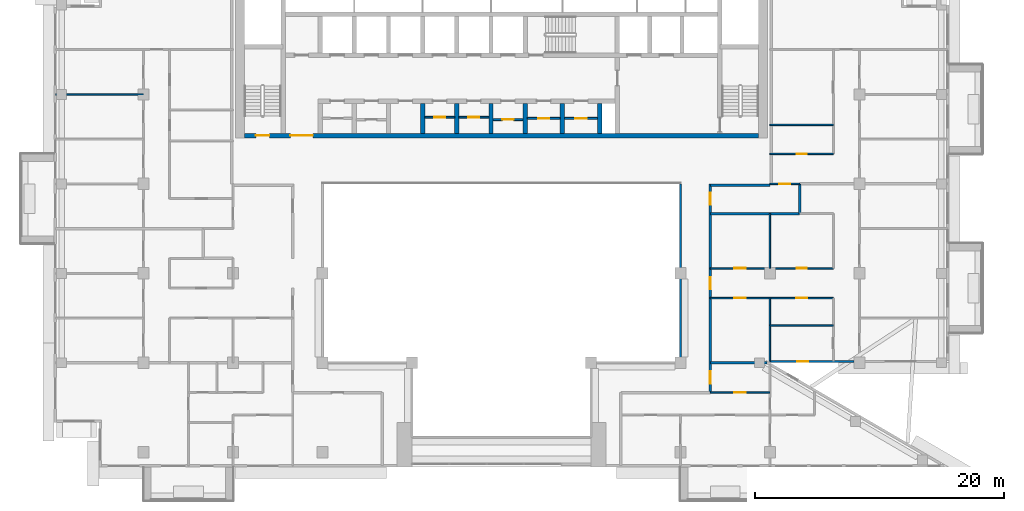
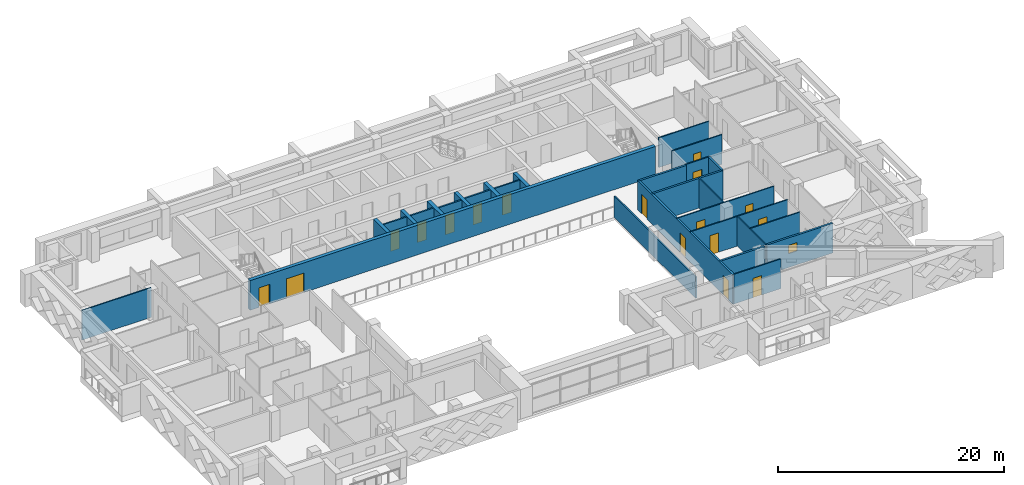
# One storey, part 9 of 20: 29 walls, 17 doors, 1 window, 18 openings.
"""IFC4 building model written with IfcOpenShell, lengths in metres."""

import ifcopenshell
import ifcopenshell.guid

model = None  # the IFC model being written
_history = None  # IfcOwnerHistory: only IFC2X3 demands one
_inside = {}  # id of a spatial element -> (the spatial element, [elements in it])
_under = {}  # id of a project, library or spatial element -> (it, [spatial elements below it])
_declared = {}  # id of a project -> (the project, [libraries it declares])
_typed = {}  # id of a type object -> (the type object, [elements of that type])
_made_of = {}  # id of a material, layer set ... -> (it, [elements and type objects made of it])


def new_model(schema):
    """Start an empty IFC model of exactly this schema.

    Asked for "IFC4X3", IfcOpenShell would pick the latest addendum, in which some entities
    have other attributes; the version numbers below select the first issue.
    IFC2X3 requires an IfcOwnerHistory on every rooted entity: one is made here for all.
    """
    global model, _history
    if schema == "IFC4X3":
        model = ifcopenshell.file(schema_version=(4, 3, 0, 0))
    else:
        model = ifcopenshell.file(schema=schema)
    _inside.clear()
    _under.clear()
    _declared.clear()
    _typed.clear()
    _made_of.clear()
    _history = None
    if model.schema == "IFC2X3":
        org = make("IfcOrganization", Name="unknown")
        user = make(
            "IfcPersonAndOrganization",
            ThePerson=make("IfcPerson", FamilyName="unknown"),
            TheOrganization=org,
        )
        app = make(
            "IfcApplication",
            ApplicationDeveloper=org,
            Version="unknown",
            ApplicationFullName="unknown",
            ApplicationIdentifier="unknown",
        )
        _history = make(
            "IfcOwnerHistory",
            OwningUser=user,
            OwningApplication=app,
            ChangeAction="ADDED",
            CreationDate=0,
        )
    return model


def make(cls, **values):
    """One entity of the class cls with the attributes given. An attribute that is None is left unset."""
    return model.create_entity(
        cls, **{name: value for name, value in values.items() if value is not None}
    )


def rooted(cls, **values):
    """An entity with a GlobalId (a new one), such as an element, a storey or a relation."""
    return make(cls, GlobalId=ifcopenshell.guid.new(), OwnerHistory=_history, **values)


def si_unit(unit_type, name, prefix=None):
    """IfcSIUnit, for example si_unit("LENGTHUNIT", "METRE", prefix="MILLI")."""
    return make("IfcSIUnit", UnitType=unit_type, Prefix=prefix, Name=name)


def assignment(units):
    """IfcUnitAssignment: the units of a project."""
    return None if units is None else make("IfcUnitAssignment", Units=units)


def point(xyz):
    """IfcCartesianPoint."""
    return None if xyz is None else make("IfcCartesianPoint", Coordinates=xyz)


def direction(xyz):
    """IfcDirection."""
    return None if xyz is None else make("IfcDirection", DirectionRatios=xyz)


def frame(location, z_axis=None, x_axis=None):
    """IfcAxis2Placement3D, a coordinate frame: its origin and axes. An axis left out is left unset."""
    return make(
        "IfcAxis2Placement3D",
        Location=point(location),
        Axis=direction(z_axis),
        RefDirection=direction(x_axis),
    )


def frame_2d(location, x_axis=None):
    """IfcAxis2Placement2D, a coordinate frame in the plane: its origin and x axis."""
    return make(
        "IfcAxis2Placement2D", Location=point(location), RefDirection=direction(x_axis)
    )


def origin():
    """The frame at (0, 0, 0) with its axes left unset."""
    return frame((0.0, 0.0, 0.0))


def place(relative_to, where):
    """IfcLocalPlacement: puts the frame where relative to a parent placement (None: the world)."""
    return make(
        "IfcLocalPlacement", PlacementRelTo=relative_to, RelativePlacement=where
    )


def context(
    kind, dimensions, precision=None, world=None, true_north=None, identifier=None
):
    """IfcGeometricRepresentationContext, for example the 3D "Model" context."""
    return make(
        "IfcGeometricRepresentationContext",
        ContextIdentifier=identifier,
        ContextType=kind,
        CoordinateSpaceDimension=dimensions,
        Precision=precision,
        WorldCoordinateSystem=world,
        TrueNorth=true_north,
    )


def subcontext(parent, identifier, kind, view, scale=None):
    """IfcGeometricRepresentationSubContext, for example "Body" below "Model"."""
    return make(
        "IfcGeometricRepresentationSubContext",
        ContextIdentifier=identifier,
        ContextType=kind,
        ParentContext=parent,
        TargetScale=scale,
        TargetView=view,
    )


def project(units=None, contexts=None):
    """IfcProject with its units and contexts."""
    return rooted(
        "IfcProject",
        Name="project",
        RepresentationContexts=contexts,
        UnitsInContext=assignment(units),
    )


def spatial(cls, under=None, at=None, **own):
    """A site, building, storey or space (cls), placed at a placement, below another one or the project."""
    s = rooted(cls, ObjectPlacement=at, **own)
    if under is not None:
        _under.setdefault(under.id(), (under, []))[1].append(s)
    return s


def profile(cls, at=None, kind="AREA", **sizes):
    """A parametric profile (cls). Its sizes go by their IFC names, for example OverallWidth=200.0."""
    return make(cls, ProfileType=kind, Position=at, **sizes)


def rectangle(**sizes):
    """IfcRectangleProfileDef."""
    return profile("IfcRectangleProfileDef", **sizes)


def extrude(swept, where, along, depth):
    """IfcExtrudedAreaSolid: the profile swept, set in the frame where, extruded along a direction by depth."""
    return make(
        "IfcExtrudedAreaSolid",
        SweptArea=swept,
        Position=where,
        ExtrudedDirection=direction(along),
        Depth=depth,
    )


def shape(context_of_items, identifier, shape_type, items):
    """IfcShapeRepresentation: the items that make up one representation, for example the "Body"."""
    return make(
        "IfcShapeRepresentation",
        ContextOfItems=context_of_items,
        RepresentationIdentifier=identifier,
        RepresentationType=shape_type,
        Items=items,
    )


def material(Name=None, Category=None):
    """IfcMaterial."""
    return make("IfcMaterial", Name=Name, Category=Category)


def layer(
    of_material, thickness, ventilated=None, Name=None, Category=None, Priority=None
):
    """IfcMaterialLayer: one layer of a wall or slab, of a material (None: an air gap)."""
    return make(
        "IfcMaterialLayer",
        Material=of_material,
        LayerThickness=thickness,
        IsVentilated=ventilated,
        Name=Name,
        Category=Category,
        Priority=Priority,
    )


def layer_set(layers, Name=None):
    """IfcMaterialLayerSet."""
    return make("IfcMaterialLayerSet", MaterialLayers=layers, LayerSetName=Name)


def made_of(thing, what):
    """Note that an element or type object is made of a material, layer set ...; save() writes the relation."""
    if what is not None:
        _made_of.setdefault(what.id(), (what, []))[1].append(thing)
    return thing


def type_object(cls, material=None, **own):
    """A type object (cls), such as IfcWallType, which elements share."""
    return made_of(rooted(cls, **own), material)


def element(
    cls,
    number,
    at=None,
    inside=None,
    cuts=None,
    type_object=None,
    material=None,
    context=None,
    identifier="Body",
    shape_type=None,
    held_by="IfcProductDefinitionShape",
    body=None,
    shapes=None,
    **own,
):
    """One element of the class cls, such as IfcWall. Its Tag is "e" and its number.

    at: its placement. inside: the storey or other place that contains it. cuts: it is an
    opening in that element (IfcRelVoidsElement). A single representation is given by context,
    identifier, shape_type and body (its items); several are given by shapes. held_by: the class
    of the entity that holds the representations. save() writes the other relations.
    """
    e = rooted(cls, Tag="e%d" % number, ObjectPlacement=at, **own)
    if body is not None:
        shapes = [shape(context, identifier, shape_type, body)]
    if shapes is not None:
        e.Representation = make(held_by, Representations=shapes)
    if inside is not None:
        _inside.setdefault(inside.id(), (inside, []))[1].append(e)
    if cuts is not None:
        rooted(
            "IfcRelVoidsElement", RelatingBuildingElement=cuts, RelatedOpeningElement=e
        )
    if type_object is not None:
        _typed.setdefault(type_object.id(), (type_object, []))[1].append(e)
    return made_of(e, material)


def fill(opening, filler):
    """IfcRelFillsElement: the door or window that sits in an opening."""
    return rooted(
        "IfcRelFillsElement",
        RelatingOpeningElement=opening,
        RelatedBuildingElement=filler,
    )


def aggregate(whole, parts):
    """IfcRelAggregates: a whole, such as a stair, and the parts it consists of."""
    return rooted("IfcRelAggregates", RelatingObject=whole, RelatedObjects=parts)


def save(model, path):
    """Write the relations noted so far, then the file.

    IfcRelAggregates (storeys below a building ...), IfcRelContainedInSpatialStructure (elements
    in a storey), IfcRelDefinesByType, IfcRelAssociatesMaterial and IfcRelDeclares: one each for
    every whole, place, type object, material and project.
    """
    for whole, parts in _under.values():
        aggregate(whole, parts)
    for where, things in _inside.values():
        rooted(
            "IfcRelContainedInSpatialStructure",
            RelatedElements=things,
            RelatingStructure=where,
        )
    for kind, things in _typed.values():
        rooted("IfcRelDefinesByType", RelatedObjects=things, RelatingType=kind)
    for what, things in _made_of.values():
        rooted("IfcRelAssociatesMaterial", RelatedObjects=things, RelatingMaterial=what)
    for by, libraries in _declared.values():
        rooted("IfcRelDeclares", RelatingContext=by, RelatedDefinitions=libraries)
    model.write(path)


model = new_model("IFC4")

# Units and contexts
model_context = context("Model", 3, precision=1e-05, world=origin(), true_north=direction((0.0, 1.0)))
body_context = subcontext(model_context, "Body", "Model", "MODEL_VIEW")
ifc_project = project(units=[si_unit("LENGTHUNIT", "METRE"), si_unit("AREAUNIT", "SQUARE_METRE"), si_unit("VOLUMEUNIT", "CUBIC_METRE"), si_unit("PLANEANGLEUNIT", "RADIAN"), si_unit("MASSUNIT", "GRAM", prefix="KILO")], contexts=[model_context])

# Site, building, storey
site_placement = place(None, origin())
site = spatial("IfcSite", under=ifc_project, at=site_placement, CompositionType="ELEMENT")
building_placement = place(site_placement, origin())
building = spatial("IfcBuilding", under=site, at=building_placement, Name="Saffron Iwan Residences", CompositionType="ELEMENT")
storey_placement = place(building_placement, frame((0.0, 0.0, 188.5)))
storey = spatial("IfcBuildingStorey", under=building, at=storey_placement, Name="L50", CompositionType="ELEMENT", Elevation=188.5)

# Wall
ifc_material_1 = material(Name="Fire-rated glazing", Category="glass")
ifc_layer_1 = layer(ifc_material_1, 0.14990234375)
ifc_layer_set_1 = layer_set([ifc_layer_1], Name="Fire-rated glazing")
wall_type_1 = type_object("IfcWallType", Name="Atrium glazed screen 150", PredefinedType="SOLIDWALL", material=ifc_layer_set_1)
wall_1_placement = place(storey_placement, frame((64.800048828125, 48.0, 0.0), z_axis=(0.0, 0.0, 1.0), x_axis=(0.0, 1.0, 0.0)))
element("IfcWall", 1, at=wall_1_placement, inside=storey, type_object=wall_type_1, Name="W-L50-SCREEN-v64.8-48", PredefinedType="SOLIDWALL", context=body_context, shape_type="SweptSolid", body=[
    extrude(rectangle(XDim=14.39990234375, YDim=0.14990234375, at=frame_2d((7.199951171875, 0.0))), origin(), (0.0, 0.0, 1.0), 2.300048828125),
])

# Wall, opening, door
ifc_material_2 = material(Name="Fire-rated plasterboard partition")
ifc_layer_2 = layer(ifc_material_2, 0.14990234375)
ifc_layer_set_2 = layer_set([ifc_layer_2], Name="Fire-rated plasterboard partition")
wall_type_2 = type_object("IfcWallType", Name="Core partition 150", PredefinedType="PARTITIONING", material=ifc_layer_set_2)
wall_2_placement = place(storey_placement, frame((44.22509765625, 67.759521484375, 0.0), z_axis=(0.0, 0.0, 1.0), x_axis=(1.0, 0.0, 0.0)))
wall_2 = element("IfcWall", 2, at=wall_2_placement, inside=storey, type_object=wall_type_2, Name="Core partition P03", PredefinedType="PARTITIONING", context=body_context, shape_type="SweptSolid", body=[
    extrude(rectangle(XDim=2.39990234375, YDim=0.14990234375, at=frame_2d((1.199951171875, 0.0))), origin(), (0.0, 0.0, 1.0), 3.199951171875),
])
opening_1_placement = place(wall_2_placement, frame((0.75, 0.0, 0.0)))
opening_1 = element("IfcOpeningElement", 3, at=opening_1_placement, cuts=wall_2, Name="Opening SB", PredefinedType="OPENING", context=body_context, shape_type="SweptSolid", body=[
    extrude(rectangle(XDim=0.89990234375, YDim=2.10009765625, at=frame_2d((0.449951171875, 1.050048828125))), frame((0.0, 0.0849609375, 0.0), z_axis=(0.0, -1.0, 0.0), x_axis=(1.0, 0.0, 0.0)), (0.0, 0.0, 1.0), 0.169921875),
])
ifc_material_3 = material(Name="Steel fire door", Category="steel")
door_type_1 = type_object("IfcDoorType", Name="Store door 900", OperationType="NOTDEFINED", PredefinedType="DOOR", material=ifc_material_3)
door_1_placement = place(opening_1_placement, origin())
door_1 = element("IfcDoor", 4, at=door_1_placement, inside=storey, type_object=door_type_1, Name="Door Records store", OperationType="SINGLE_SWING_RIGHT", OverallHeight=2.10009765625, OverallWidth=0.89990234375, PredefinedType="DOOR", context=body_context, shape_type="SweptSolid", body=[
    extrude(rectangle(XDim=0.89990234375, YDim=2.10009765625, at=frame_2d((0.449951171875, 1.050048828125))), frame((0.0, 0.02490234375, 0.0), z_axis=(0.0, -1.0, 0.0), x_axis=(1.0, 0.0, 0.0)), (0.0, 0.0, 1.0), 0.050048828125),
])
fill(opening_1, door_1)

wall_3_placement = place(storey_placement, frame((46.97509765625, 67.759521484375, 0.0), z_axis=(0.0, 0.0, 1.0), x_axis=(1.0, 0.0, 0.0)))
wall_3 = element("IfcWall", 5, at=wall_3_placement, inside=storey, type_object=wall_type_2, Name="Core partition P04", PredefinedType="PARTITIONING", context=body_context, shape_type="SweptSolid", body=[
    extrude(rectangle(XDim=2.39990234375, YDim=0.14990234375, at=frame_2d((1.199951171875, 0.0))), origin(), (0.0, 0.0, 1.0), 3.199951171875),
])
opening_2_placement = place(wall_3_placement, frame((0.75, 0.0, 0.0)))
opening_2 = element("IfcOpeningElement", 6, at=opening_2_placement, cuts=wall_3, Name="Opening SB", PredefinedType="OPENING", context=body_context, shape_type="SweptSolid", body=[
    extrude(rectangle(XDim=0.89990234375, YDim=2.10009765625, at=frame_2d((0.449951171875, 1.050048828125))), frame((0.0, 0.0849609375, 0.0), z_axis=(0.0, -1.0, 0.0), x_axis=(1.0, 0.0, 0.0)), (0.0, 0.0, 1.0), 0.169921875),
])
door_2_placement = place(opening_2_placement, origin())
door_2 = element("IfcDoor", 7, at=door_2_placement, inside=storey, type_object=door_type_1, Name="Door Stationery store", OperationType="SINGLE_SWING_LEFT", OverallHeight=2.10009765625, OverallWidth=0.89990234375, PredefinedType="DOOR", context=body_context, shape_type="SweptSolid", body=[
    extrude(rectangle(XDim=0.89990234375, YDim=2.10009765625, at=frame_2d((0.449951171875, 1.050048828125))), frame((0.0, 0.02490234375, 0.0), z_axis=(0.0, -1.0, 0.0), x_axis=(1.0, 0.0, 0.0)), (0.0, 0.0, 1.0), 0.050048828125),
])
fill(opening_2, door_2)

wall_4_placement = place(storey_placement, frame((49.72509765625, 67.5654296875, 0.0), z_axis=(0.0, 0.0, 1.0), x_axis=(1.0, 0.0, 0.0)))
wall_4 = element("IfcWall", 8, at=wall_4_placement, inside=storey, type_object=wall_type_2, Name="Core partition P05", PredefinedType="PARTITIONING", context=body_context, shape_type="SweptSolid", body=[
    extrude(rectangle(XDim=2.39990234375, YDim=0.14990234375, at=frame_2d((1.199951171875, 0.0))), origin(), (0.0, 0.0, 1.0), 3.199951171875),
])
opening_3_placement = place(wall_4_placement, frame((0.75, 0.0, 0.0)))
opening_3 = element("IfcOpeningElement", 9, at=opening_3_placement, cuts=wall_4, Name="Opening SB", PredefinedType="OPENING", context=body_context, shape_type="SweptSolid", body=[
    extrude(rectangle(XDim=0.89990234375, YDim=2.10009765625, at=frame_2d((0.449951171875, 1.050048828125))), frame((0.0, 0.0849609375, 0.0), z_axis=(0.0, -1.0, 0.0), x_axis=(1.0, 0.0, 0.0)), (0.0, 0.0, 1.0), 0.169921875),
])
door_3_placement = place(opening_3_placement, origin())
door_3 = element("IfcDoor", 10, at=door_3_placement, inside=storey, type_object=door_type_1, Name="Door Tool store", OperationType="SINGLE_SWING_LEFT", OverallHeight=2.10009765625, OverallWidth=0.89990234375, PredefinedType="DOOR", context=body_context, shape_type="SweptSolid", body=[
    extrude(rectangle(XDim=0.89990234375, YDim=2.10009765625, at=frame_2d((0.449951171875, 1.050048828125))), frame((0.0, 0.02490234375, 0.0), z_axis=(0.0, -1.0, 0.0), x_axis=(1.0, 0.0, 0.0)), (0.0, 0.0, 1.0), 0.050048828125),
])
fill(opening_3, door_3)

wall_5_placement = place(storey_placement, frame((52.47509765625, 67.66259765625, 0.0), z_axis=(0.0, 0.0, 1.0), x_axis=(1.0, 0.0, 0.0)))
wall_5 = element("IfcWall", 11, at=wall_5_placement, inside=storey, type_object=wall_type_2, Name="Core partition P06", PredefinedType="PARTITIONING", context=body_context, shape_type="SweptSolid", body=[
    extrude(rectangle(XDim=2.64990234375, YDim=0.14990234375, at=frame_2d((1.324951171875, 0.0))), origin(), (0.0, 0.0, 1.0), 3.199951171875),
])
opening_4_placement = place(wall_5_placement, frame((0.875, 0.0, 0.0)))
opening_4 = element("IfcOpeningElement", 12, at=opening_4_placement, cuts=wall_5, Name="Opening SB", PredefinedType="OPENING", context=body_context, shape_type="SweptSolid", body=[
    extrude(rectangle(XDim=0.89990234375, YDim=2.10009765625, at=frame_2d((0.449951171875, 1.050048828125))), frame((0.0, 0.0849609375, 0.0), z_axis=(0.0, -1.0, 0.0), x_axis=(1.0, 0.0, 0.0)), (0.0, 0.0, 1.0), 0.169921875),
])
door_4_placement = place(opening_4_placement, origin())
door_4 = element("IfcDoor", 13, at=door_4_placement, inside=storey, type_object=door_type_1, Name="Door Spares store", OperationType="SINGLE_SWING_LEFT", OverallHeight=2.10009765625, OverallWidth=0.89990234375, PredefinedType="DOOR", context=body_context, shape_type="SweptSolid", body=[
    extrude(rectangle(XDim=0.89990234375, YDim=2.10009765625, at=frame_2d((0.449951171875, 1.050048828125))), frame((0.0, 0.02490234375, 0.0), z_axis=(0.0, -1.0, 0.0), x_axis=(1.0, 0.0, 0.0)), (0.0, 0.0, 1.0), 0.050048828125),
])
fill(opening_4, door_4)

wall_6_placement = place(storey_placement, frame((55.47509765625, 67.66259765625, 0.0), z_axis=(0.0, 0.0, 1.0), x_axis=(1.0, 0.0, 0.0)))
wall_6 = element("IfcWall", 14, at=wall_6_placement, inside=storey, type_object=wall_type_2, Name="Core partition P07", PredefinedType="PARTITIONING", context=body_context, shape_type="SweptSolid", body=[
    extrude(rectangle(XDim=2.64990234375, YDim=0.14990234375, at=frame_2d((1.324951171875, 0.0))), origin(), (0.0, 0.0, 1.0), 3.199951171875),
])
opening_5_placement = place(wall_6_placement, frame((0.875, 0.0, 0.0)))
opening_5 = element("IfcOpeningElement", 15, at=opening_5_placement, cuts=wall_6, Name="Opening SB", PredefinedType="OPENING", context=body_context, shape_type="SweptSolid", body=[
    extrude(rectangle(XDim=0.89990234375, YDim=2.10009765625, at=frame_2d((0.449951171875, 1.050048828125))), frame((0.0, 0.0849609375, 0.0), z_axis=(0.0, -1.0, 0.0), x_axis=(1.0, 0.0, 0.0)), (0.0, 0.0, 1.0), 0.169921875),
])
door_5_placement = place(opening_5_placement, origin())
door_5 = element("IfcDoor", 16, at=door_5_placement, inside=storey, type_object=door_type_1, Name="Door Battery room", OperationType="SINGLE_SWING_LEFT", OverallHeight=2.10009765625, OverallWidth=0.89990234375, PredefinedType="DOOR", context=body_context, shape_type="SweptSolid", body=[
    extrude(rectangle(XDim=0.89990234375, YDim=2.10009765625, at=frame_2d((0.449951171875, 1.050048828125))), frame((0.0, 0.02490234375, 0.0), z_axis=(0.0, -1.0, 0.0), x_axis=(1.0, 0.0, 0.0)), (0.0, 0.0, 1.0), 0.050048828125),
])
fill(opening_5, door_5)

# Wall, opening, window
ifc_material_4 = material(Name="Concrete C40/50", Category="concrete")
ifc_layer_3 = layer(ifc_material_4, 0.199951171875)
ifc_layer_set_3 = layer_set([ifc_layer_3], Name="Concrete C40/50")
wall_type_3 = type_object("IfcWallType", Name="EXTERNAL WALL 200", PredefinedType="SOLIDWALL", material=ifc_layer_set_3)
wall_7_placement = place(storey_placement, frame((71.989990234375, 48.10009765625, 0.0), z_axis=(0.0, 0.0, 1.0), x_axis=(1.0, 0.0, 0.0)))
wall_7 = element("IfcWall", 17, at=wall_7_placement, inside=storey, type_object=wall_type_3, Name="External wall L50 F1.0", PredefinedType="SOLIDWALL", context=body_context, shape_type="SweptSolid", body=[
    extrude(rectangle(XDim=6.760009765625, YDim=0.199951171875, at=frame_2d((3.3798828125, 0.0))), origin(), (0.0, 0.0, 1.0), 3.199951171875),
])
opening_6_placement = place(wall_7_placement, frame((2.204833984375, 0.0, 1.5)))
opening_6 = element("IfcOpeningElement", 18, at=opening_6_placement, cuts=wall_7, Name="Opening W6", PredefinedType="OPENING", context=body_context, shape_type="SweptSolid", body=[
    extrude(rectangle(XDim=0.89990234375, YDim=0.89990234375, at=frame_2d((0.449951171875, 0.449951171875))), frame((0.0, 0.10986328125, 0.0), z_axis=(0.0, -1.0, 0.0), x_axis=(1.0, 0.0, 0.0)), (0.0, 0.0, 1.0), 0.219970703125),
])
ifc_material_5 = material(Name="Clear glass, laminated double glazed", Category="glass")
window_type = type_object("IfcWindowType", Name="WINDOW 900 x 900 BATH", PartitioningType="SINGLE_PANEL", PredefinedType="WINDOW", material=ifc_material_5)
window_placement = place(opening_6_placement, origin())
window = element("IfcWindow", 19, at=window_placement, inside=storey, type_object=window_type, Name="Window L50 F1.0", OverallHeight=0.89990234375, OverallWidth=0.89990234375, PartitioningType="SINGLE_PANEL", PredefinedType="WINDOW", context=body_context, shape_type="SweptSolid", body=[
    extrude(rectangle(XDim=0.89990234375, YDim=0.89990234375, at=frame_2d((0.449951171875, 0.449951171875))), frame((0.0, 0.030029296875, 0.0), z_axis=(0.0, -1.0, 0.0), x_axis=(1.0, 0.0, 0.0)), (0.0, 0.0, 1.0), 0.06005859375),
])
fill(opening_6, window)

# Walls
ifc_material_6 = material(Name="Fire-rated gypsum board wall")
ifc_layer_4 = layer(ifc_material_6, 0.199951171875)
ifc_layer_set_4 = layer_set([ifc_layer_4], Name="Fire-rated gypsum board wall")
wall_type_4 = type_object("IfcWallType", Name="Flat demising wall 200", PredefinedType="SOLIDWALL", material=ifc_layer_set_4)
wall_8_placement = place(storey_placement, frame((67.199951171875, 48.0, 0.0), z_axis=(0.0, 0.0, 1.0), x_axis=(1.0, 0.0, 0.0)))
element("IfcWall", 20, at=wall_8_placement, inside=storey, type_object=wall_type_4, Name="W-L50-DEMISE-h48-67.2", PredefinedType="SOLIDWALL", context=body_context, shape_type="SweptSolid", body=[
    extrude(rectangle(XDim=4.552001953125, YDim=0.199951171875, at=frame_2d((2.27587890625, 0.0))), origin(), (0.0, 0.0, 1.0), 3.199951171875),
])
wall_9_placement = place(storey_placement, frame((67.199951171875, 60.0, 0.0), z_axis=(0.0, 0.0, 1.0), x_axis=(1.0, 0.0, 0.0)))
element("IfcWall", 21, at=wall_9_placement, inside=storey, type_object=wall_type_4, Name="W-L50-DEMISE-h60-67.2", PredefinedType="SOLIDWALL", context=body_context, shape_type="SweptSolid", body=[
    extrude(rectangle(XDim=7.199951171875, YDim=0.199951171875, at=frame_2d((3.60009765625, 0.0))), origin(), (0.0, 0.0, 1.0), 3.199951171875),
])
wall_10_placement = place(storey_placement, frame((74.39990234375, 60.0, 0.0), z_axis=(0.0, 0.0, 1.0), x_axis=(0.0, 1.0, 0.0)))
element("IfcWall", 22, at=wall_10_placement, inside=storey, type_object=wall_type_4, Name="W-L50-DEMISE-v74.4-60", PredefinedType="SOLIDWALL", context=body_context, shape_type="SweptSolid", body=[
    extrude(rectangle(XDim=2.39990234375, YDim=0.199951171875, at=frame_2d((1.199951171875, 0.0))), origin(), (0.0, 0.0, 1.0), 3.199951171875),
])

# Wall, opening, door
ifc_material_7 = material(Name="Gypsum board partition")
ifc_layer_5 = layer(ifc_material_7, 0.1201171875)
ifc_layer_set_5 = layer_set([ifc_layer_5], Name="Gypsum board partition")
wall_type_5 = type_object("IfcWallType", Name="Flat partition 120", PredefinedType="PARTITIONING", material=ifc_layer_set_5)
wall_11_placement = place(storey_placement, frame((67.199951171875, 45.60009765625, 0.0), z_axis=(0.0, 0.0, 1.0), x_axis=(1.0, 0.0, 0.0)))
wall_11 = element("IfcWall", 23, at=wall_11_placement, inside=storey, type_object=wall_type_5, Name="W-L50-PART-h45.6-67.2", PredefinedType="PARTITIONING", context=body_context, shape_type="SweptSolid", body=[
    extrude(rectangle(XDim=4.800048828125, YDim=0.1201171875, at=frame_2d((2.39990234375, 0.0))), origin(), (0.0, 0.0, 1.0), 3.199951171875),
])
opening_7_placement = place(wall_11_placement, frame((1.949951171875, 0.0, 0.0)))
opening_7 = element("IfcOpeningElement", 24, at=opening_7_placement, cuts=wall_11, Name="Opening FD2", PredefinedType="OPENING", context=body_context, shape_type="SweptSolid", body=[
    extrude(rectangle(XDim=0.89990234375, YDim=2.10009765625, at=frame_2d((0.449951171875, 1.050048828125))), frame((0.0, 0.070068359375, 0.0), z_axis=(0.0, -1.0, 0.0), x_axis=(1.0, 0.0, 0.0)), (0.0, 0.0, 1.0), 0.14013671875),
])
ifc_material_8 = material(Name="Timber door", Category="wood")
door_type_2 = type_object("IfcDoorType", Name="Flat door 900", OperationType="NOTDEFINED", PredefinedType="DOOR", material=ifc_material_8)
door_6_placement = place(opening_7_placement, origin())
door_6 = element("IfcDoor", 25, at=door_6_placement, inside=storey, type_object=door_type_2, Name="Door L50-043", OperationType="SINGLE_SWING_LEFT", OverallHeight=2.10009765625, OverallWidth=0.89990234375, PredefinedType="DOOR", context=body_context, shape_type="SweptSolid", body=[
    extrude(rectangle(XDim=0.89990234375, YDim=2.10009765625, at=frame_2d((0.449951171875, 1.050048828125))), frame((0.0, 0.02490234375, 0.0), z_axis=(0.0, -1.0, 0.0), x_axis=(1.0, 0.0, 0.0)), (0.0, 0.0, 1.0), 0.050048828125),
])
fill(opening_7, door_6)

# Wall
wall_12_placement = place(storey_placement, frame((72.0, 51.0, 0.0), z_axis=(0.0, 0.0, 1.0), x_axis=(1.0, 0.0, 0.0)))
element("IfcWall", 26, at=wall_12_placement, inside=storey, type_object=wall_type_5, Name="W-L50-PART-h51-72", PredefinedType="PARTITIONING", context=body_context, shape_type="SweptSolid", body=[
    extrude(rectangle(XDim=5.10009765625, YDim=0.1201171875, at=frame_2d((2.550048828125, 0.0))), origin(), (0.0, 0.0, 1.0), 3.199951171875),
])

# Wall, openings, doors
wall_13_placement = place(storey_placement, frame((67.199951171875, 53.199951171875, 0.0), z_axis=(0.0, 0.0, 1.0), x_axis=(1.0, 0.0, 0.0)))
wall_13 = element("IfcWall", 27, at=wall_13_placement, inside=storey, type_object=wall_type_5, Name="W-L50-PART-h53.2-67.2", PredefinedType="PARTITIONING", context=body_context, shape_type="SweptSolid", body=[
    extrude(rectangle(XDim=9.900146484375, YDim=0.1201171875, at=frame_2d((4.9501953125, 0.0))), origin(), (0.0, 0.0, 1.0), 3.199951171875),
])
opening_8_placement = place(wall_13_placement, frame((6.89990234375, 0.0, 0.0)))
opening_8 = element("IfcOpeningElement", 28, at=opening_8_placement, cuts=wall_13, Name="Opening FD2", PredefinedType="OPENING", context=body_context, shape_type="SweptSolid", body=[
    extrude(rectangle(XDim=0.89990234375, YDim=2.10009765625, at=frame_2d((0.449951171875, 1.050048828125))), frame((0.0, 0.070068359375, 0.0), z_axis=(0.0, -1.0, 0.0), x_axis=(1.0, 0.0, 0.0)), (0.0, 0.0, 1.0), 0.14013671875),
])
opening_9_placement = place(wall_13_placement, frame((1.949951171875, 0.0, 0.0)))
opening_9 = element("IfcOpeningElement", 29, at=opening_9_placement, cuts=wall_13, Name="Opening FD2", PredefinedType="OPENING", context=body_context, shape_type="SweptSolid", body=[
    extrude(rectangle(XDim=0.89990234375, YDim=2.10009765625, at=frame_2d((0.449951171875, 1.050048828125))), frame((0.0, 0.070068359375, 0.0), z_axis=(0.0, -1.0, 0.0), x_axis=(1.0, 0.0, 0.0)), (0.0, 0.0, 1.0), 0.14013671875),
])
door_7_placement = place(opening_8_placement, origin())
door_7 = element("IfcDoor", 30, at=door_7_placement, inside=storey, type_object=door_type_2, Name="Door L50-020", OperationType="SINGLE_SWING_RIGHT", OverallHeight=2.10009765625, OverallWidth=0.89990234375, PredefinedType="DOOR", context=body_context, shape_type="SweptSolid", body=[
    extrude(rectangle(XDim=0.89990234375, YDim=2.10009765625, at=frame_2d((0.449951171875, 1.050048828125))), frame((0.0, 0.02490234375, 0.0), z_axis=(0.0, -1.0, 0.0), x_axis=(1.0, 0.0, 0.0)), (0.0, 0.0, 1.0), 0.050048828125),
])
fill(opening_8, door_7)
door_8_placement = place(opening_9_placement, origin())
door_8 = element("IfcDoor", 31, at=door_8_placement, inside=storey, type_object=door_type_2, Name="Door L50-022", OperationType="SINGLE_SWING_LEFT", OverallHeight=2.10009765625, OverallWidth=0.89990234375, PredefinedType="DOOR", context=body_context, shape_type="SweptSolid", body=[
    extrude(rectangle(XDim=0.89990234375, YDim=2.10009765625, at=frame_2d((0.449951171875, 1.050048828125))), frame((0.0, 0.02490234375, 0.0), z_axis=(0.0, -1.0, 0.0), x_axis=(1.0, 0.0, 0.0)), (0.0, 0.0, 1.0), 0.050048828125),
])
fill(opening_9, door_8)

wall_14_placement = place(storey_placement, frame((67.199951171875, 55.60009765625, 0.0), z_axis=(0.0, 0.0, 1.0), x_axis=(1.0, 0.0, 0.0)))
wall_14 = element("IfcWall", 32, at=wall_14_placement, inside=storey, type_object=wall_type_5, Name="W-L50-PART-h55.6-67.2", PredefinedType="PARTITIONING", context=body_context, shape_type="SweptSolid", body=[
    extrude(rectangle(XDim=9.900146484375, YDim=0.1201171875, at=frame_2d((4.9501953125, 0.0))), origin(), (0.0, 0.0, 1.0), 3.199951171875),
])
opening_10_placement = place(wall_14_placement, frame((6.949951171875, 0.0, 0.0)))
opening_10 = element("IfcOpeningElement", 33, at=opening_10_placement, cuts=wall_14, Name="Opening FD3", PredefinedType="OPENING", context=body_context, shape_type="SweptSolid", body=[
    extrude(rectangle(XDim=0.800048828125, YDim=2.10009765625, at=frame_2d((0.39990234375, 1.050048828125))), frame((0.0, 0.070068359375, 0.0), z_axis=(0.0, -1.0, 0.0), x_axis=(1.0, 0.0, 0.0)), (0.0, 0.0, 1.0), 0.14013671875),
])
opening_11_placement = place(wall_14_placement, frame((1.949951171875, 0.0, 0.0)))
opening_11 = element("IfcOpeningElement", 34, at=opening_11_placement, cuts=wall_14, Name="Opening FD2", PredefinedType="OPENING", context=body_context, shape_type="SweptSolid", body=[
    extrude(rectangle(XDim=0.89990234375, YDim=2.10009765625, at=frame_2d((0.449951171875, 1.050048828125))), frame((0.0, 0.070068359375, 0.0), z_axis=(0.0, -1.0, 0.0), x_axis=(1.0, 0.0, 0.0)), (0.0, 0.0, 1.0), 0.14013671875),
])
door_type_3 = type_object("IfcDoorType", Name="Bathroom door 800", OperationType="NOTDEFINED", PredefinedType="DOOR", material=ifc_material_8)
door_9_placement = place(opening_10_placement, origin())
door_9 = element("IfcDoor", 35, at=door_9_placement, inside=storey, type_object=door_type_3, Name="Door L50-021", OperationType="SINGLE_SWING_LEFT", OverallHeight=2.10009765625, OverallWidth=0.800048828125, PredefinedType="DOOR", context=body_context, shape_type="SweptSolid", body=[
    extrude(rectangle(XDim=0.800048828125, YDim=2.10009765625, at=frame_2d((0.39990234375, 1.050048828125))), frame((0.0, 0.02490234375, 0.0), z_axis=(0.0, -1.0, 0.0), x_axis=(1.0, 0.0, 0.0)), (0.0, 0.0, 1.0), 0.050048828125),
])
fill(opening_10, door_9)
door_10_placement = place(opening_11_placement, origin())
door_10 = element("IfcDoor", 36, at=door_10_placement, inside=storey, type_object=door_type_2, Name="Door L50-023", OperationType="SINGLE_SWING_RIGHT", OverallHeight=2.10009765625, OverallWidth=0.89990234375, PredefinedType="DOOR", context=body_context, shape_type="SweptSolid", body=[
    extrude(rectangle(XDim=0.89990234375, YDim=2.10009765625, at=frame_2d((0.449951171875, 1.050048828125))), frame((0.0, 0.02490234375, 0.0), z_axis=(0.0, -1.0, 0.0), x_axis=(1.0, 0.0, 0.0)), (0.0, 0.0, 1.0), 0.050048828125),
])
fill(opening_11, door_10)

# Wall, opening, door
wall_15_placement = place(storey_placement, frame((72.0, 62.39990234375, 0.0), z_axis=(0.0, 0.0, 1.0), x_axis=(1.0, 0.0, 0.0)))
wall_15 = element("IfcWall", 37, at=wall_15_placement, inside=storey, type_object=wall_type_5, Name="W-L50-PART-h62.4-72", PredefinedType="PARTITIONING", context=body_context, shape_type="SweptSolid", body=[
    extrude(rectangle(XDim=2.39990234375, YDim=0.1201171875, at=frame_2d((1.199951171875, 0.0))), origin(), (0.0, 0.0, 1.0), 3.199951171875),
])
opening_12_placement = place(wall_15_placement, frame((0.75, 0.0, 0.0)))
opening_12 = element("IfcOpeningElement", 38, at=opening_12_placement, cuts=wall_15, Name="Opening FD2", PredefinedType="OPENING", context=body_context, shape_type="SweptSolid", body=[
    extrude(rectangle(XDim=0.89990234375, YDim=2.10009765625, at=frame_2d((0.449951171875, 1.050048828125))), frame((0.0, 0.070068359375, 0.0), z_axis=(0.0, -1.0, 0.0), x_axis=(1.0, 0.0, 0.0)), (0.0, 0.0, 1.0), 0.14013671875),
])
door_11_placement = place(opening_12_placement, origin())
door_11 = element("IfcDoor", 39, at=door_11_placement, inside=storey, type_object=door_type_2, Name="Door L50-034", OperationType="SINGLE_SWING_LEFT", OverallHeight=2.10009765625, OverallWidth=0.89990234375, PredefinedType="DOOR", context=body_context, shape_type="SweptSolid", body=[
    extrude(rectangle(XDim=0.89990234375, YDim=2.10009765625, at=frame_2d((0.449951171875, 1.050048828125))), frame((0.0, 0.02490234375, 0.0), z_axis=(0.0, -1.0, 0.0), x_axis=(1.0, 0.0, 0.0)), (0.0, 0.0, 1.0), 0.050048828125),
])
fill(opening_12, door_11)

wall_16_placement = place(storey_placement, frame((72.0, 64.800048828125, 0.0), z_axis=(0.0, 0.0, 1.0), x_axis=(1.0, 0.0, 0.0)))
wall_16 = element("IfcWall", 40, at=wall_16_placement, inside=storey, type_object=wall_type_5, Name="W-L50-PART-h64.8-72", PredefinedType="PARTITIONING", context=body_context, shape_type="SweptSolid", body=[
    extrude(rectangle(XDim=5.10009765625, YDim=0.1201171875, at=frame_2d((2.550048828125, 0.0))), origin(), (0.0, 0.0, 1.0), 3.199951171875),
])
opening_13_placement = place(wall_16_placement, frame((2.14990234375, 0.0, 0.0)))
opening_13 = element("IfcOpeningElement", 41, at=opening_13_placement, cuts=wall_16, Name="Opening FD3", PredefinedType="OPENING", context=body_context, shape_type="SweptSolid", body=[
    extrude(rectangle(XDim=0.800048828125, YDim=2.10009765625, at=frame_2d((0.39990234375, 1.050048828125))), frame((0.0, 0.070068359375, 0.0), z_axis=(0.0, -1.0, 0.0), x_axis=(1.0, 0.0, 0.0)), (0.0, 0.0, 1.0), 0.14013671875),
])
door_12_placement = place(opening_13_placement, origin())
door_12 = element("IfcDoor", 42, at=door_12_placement, inside=storey, type_object=door_type_3, Name="Door L50-040", OperationType="SINGLE_SWING_LEFT", OverallHeight=2.10009765625, OverallWidth=0.800048828125, PredefinedType="DOOR", context=body_context, shape_type="SweptSolid", body=[
    extrude(rectangle(XDim=0.800048828125, YDim=2.10009765625, at=frame_2d((0.39990234375, 1.050048828125))), frame((0.0, 0.02490234375, 0.0), z_axis=(0.0, -1.0, 0.0), x_axis=(1.0, 0.0, 0.0)), (0.0, 0.0, 1.0), 0.050048828125),
])
fill(opening_13, door_12)

# Walls
wall_17_placement = place(storey_placement, frame((72.0, 67.14990234375, 0.0), z_axis=(0.0, 0.0, 1.0), x_axis=(1.0, 0.0, 0.0)))
element("IfcWall", 43, at=wall_17_placement, inside=storey, type_object=wall_type_5, Name="W-L50-PART-h67.15-72", PredefinedType="PARTITIONING", context=body_context, shape_type="SweptSolid", body=[
    extrude(rectangle(XDim=5.10009765625, YDim=0.1201171875, at=frame_2d((2.550048828125, 0.0))), origin(), (0.0, 0.0, 1.0), 3.199951171875),
])
wall_18_placement = place(storey_placement, frame((14.52490234375, 69.60009765625, 0.0), z_axis=(0.0, 0.0, 1.0), x_axis=(1.0, 0.0, 0.0)))
element("IfcWall", 44, at=wall_18_placement, inside=storey, type_object=wall_type_5, Name="W-L50-PART-h69.6-14.525", PredefinedType="PARTITIONING", context=body_context, shape_type="SweptSolid", body=[
    extrude(rectangle(XDim=7.0751953125, YDim=0.1201171875, at=frame_2d((3.53759765625, 0.0))), origin(), (0.0, 0.0, 1.0), 3.199951171875),
])
wall_19_placement = place(storey_placement, frame((72.0, 48.125, 0.0), z_axis=(0.0, 0.0, 1.0), x_axis=(0.0, 1.0, 0.0)))
element("IfcWall", 45, at=wall_19_placement, inside=storey, type_object=wall_type_5, Name="W-L50-PART-v72-48.125", PredefinedType="PARTITIONING", context=body_context, shape_type="SweptSolid", body=[
    extrude(rectangle(XDim=5.074951171875, YDim=0.1201171875, at=frame_2d((2.53759765625, 0.0))), origin(), (0.0, 0.0, 1.0), 3.199951171875),
])
wall_20_placement = place(storey_placement, frame((72.0, 55.60009765625, 0.0), z_axis=(0.0, 0.0, 1.0), x_axis=(0.0, 1.0, 0.0)))
element("IfcWall", 46, at=wall_20_placement, inside=storey, type_object=wall_type_5, Name="W-L50-PART-v72-55.6", PredefinedType="PARTITIONING", context=body_context, shape_type="SweptSolid", body=[
    extrude(rectangle(XDim=4.39990234375, YDim=0.1201171875, at=frame_2d((2.199951171875, 0.0))), origin(), (0.0, 0.0, 1.0), 3.199951171875),
])
ifc_layer_6 = layer(ifc_material_6, 0.199951171875)
ifc_layer_set_6 = layer_set([ifc_layer_6], Name="Fire-rated gypsum board wall")
wall_type_6 = type_object("IfcWallType", Name="Gallery wall 200", PredefinedType="SOLIDWALL", material=ifc_layer_set_6)
wall_21_placement = place(storey_placement, frame((67.199951171875, 62.300048828125, 0.0), z_axis=(0.0, 0.0, 1.0), x_axis=(1.0, 0.0, 0.0)))
element("IfcWall", 47, at=wall_21_placement, inside=storey, type_object=wall_type_6, Name="W-L50-CORR-h62.4-67.2", PredefinedType="SOLIDWALL", context=body_context, shape_type="SweptSolid", body=[
    extrude(rectangle(XDim=4.800048828125, YDim=0.199951171875, at=frame_2d((2.39990234375, 0.0))), origin(), (0.0, 0.0, 1.0), 3.199951171875),
])

# Wall, openings, doors
wall_22_placement = place(storey_placement, frame((67.199951171875, 45.60009765625, 0.0), z_axis=(0.0, 0.0, 1.0), x_axis=(0.0, 1.0, 0.0)))
wall_22 = element("IfcWall", 48, at=wall_22_placement, inside=storey, type_object=wall_type_6, Name="W-L50-CORR-v67.2-45.6", PredefinedType="SOLIDWALL", context=body_context, shape_type="SweptSolid", body=[
    extrude(rectangle(XDim=16.7998046875, YDim=0.199951171875, at=frame_2d((8.39990234375, 0.0))), origin(), (0.0, 0.0, 1.0), 3.199951171875),
])
opening_14_placement = place(wall_22_placement, frame((8.300048828125, 0.0, 0.0)))
opening_14 = element("IfcOpeningElement", 49, at=opening_14_placement, cuts=wall_22, Name="Opening FD1", PredefinedType="OPENING", context=body_context, shape_type="SweptSolid", body=[
    extrude(rectangle(XDim=1.0, YDim=2.10009765625, at=frame_2d((0.5, 1.050048828125))), frame((0.0, 0.10986328125, 0.0), z_axis=(0.0, -1.0, 0.0), x_axis=(1.0, 0.0, 0.0)), (0.0, 0.0, 1.0), 0.219970703125),
])
opening_15_placement = place(wall_22_placement, frame((15.10009765625, 0.0, 0.0)))
opening_15 = element("IfcOpeningElement", 50, at=opening_15_placement, cuts=wall_22, Name="Opening FD5", PredefinedType="OPENING", context=body_context, shape_type="SweptSolid", body=[
    extrude(rectangle(XDim=1.0, YDim=2.10009765625, at=frame_2d((0.5, 1.050048828125))), frame((0.0, 0.10986328125, 0.0), z_axis=(0.0, -1.0, 0.0), x_axis=(1.0, 0.0, 0.0)), (0.0, 0.0, 1.0), 0.219970703125),
])
opening_16_placement = place(wall_22_placement, frame((0.699951171875, 0.0, 0.0)))
opening_16 = element("IfcOpeningElement", 51, at=opening_16_placement, cuts=wall_22, Name="Opening FD5", PredefinedType="OPENING", context=body_context, shape_type="SweptSolid", body=[
    extrude(rectangle(XDim=1.0, YDim=2.10009765625, at=frame_2d((0.5, 1.050048828125))), frame((0.0, 0.10986328125, 0.0), z_axis=(0.0, -1.0, 0.0), x_axis=(1.0, 0.0, 0.0)), (0.0, 0.0, 1.0), 0.219970703125),
])
ifc_material_9 = material(Name="Fire-rated timber door", Category="wood")
door_type_4 = type_object("IfcDoorType", Name="FD30S flat entrance door 1000", OperationType="NOTDEFINED", PredefinedType="DOOR", material=ifc_material_9)
door_13_placement = place(opening_14_placement, origin())
door_13 = element("IfcDoor", 52, at=door_13_placement, inside=storey, type_object=door_type_4, Name="Door L50-015", OperationType="SINGLE_SWING_LEFT", OverallHeight=2.10009765625, OverallWidth=1.0, PredefinedType="DOOR", context=body_context, shape_type="SweptSolid", body=[
    extrude(rectangle(XDim=1.0, YDim=2.10009765625, at=frame_2d((0.5, 1.050048828125))), frame((0.0, 0.02490234375, 0.0), z_axis=(0.0, -1.0, 0.0), x_axis=(1.0, 0.0, 0.0)), (0.0, 0.0, 1.0), 0.050048828125),
])
fill(opening_14, door_13)
door_type_5 = type_object("IfcDoorType", Name="Lobby door 1000", OperationType="NOTDEFINED", PredefinedType="DOOR", material=ifc_material_9)
door_14_placement = place(opening_15_placement, origin())
door_14 = element("IfcDoor", 53, at=door_14_placement, inside=storey, type_object=door_type_5, Name="Door L50-035", OperationType="SINGLE_SWING_RIGHT", OverallHeight=2.10009765625, OverallWidth=1.0, PredefinedType="DOOR", context=body_context, shape_type="SweptSolid", body=[
    extrude(rectangle(XDim=1.0, YDim=2.10009765625, at=frame_2d((0.5, 1.050048828125))), frame((0.0, 0.02490234375, 0.0), z_axis=(0.0, -1.0, 0.0), x_axis=(1.0, 0.0, 0.0)), (0.0, 0.0, 1.0), 0.050048828125),
])
fill(opening_15, door_14)
door_15_placement = place(opening_16_placement, origin())
door_15 = element("IfcDoor", 54, at=door_15_placement, inside=storey, type_object=door_type_5, Name="Door L50-044", OperationType="SINGLE_SWING_RIGHT", OverallHeight=2.10009765625, OverallWidth=1.0, PredefinedType="DOOR", context=body_context, shape_type="SweptSolid", body=[
    extrude(rectangle(XDim=1.0, YDim=2.10009765625, at=frame_2d((0.5, 1.050048828125))), frame((0.0, 0.02490234375, 0.0), z_axis=(0.0, -1.0, 0.0), x_axis=(1.0, 0.0, 0.0)), (0.0, 0.0, 1.0), 0.050048828125),
])
fill(opening_16, door_15)

ifc_material_10 = material(Name="Concrete C50/60", Category="concrete")
ifc_layer_7 = layer(ifc_material_10, 0.35009765625)
ifc_layer_set_7 = layer_set([ifc_layer_7], Name="Concrete C50/60")
wall_type_7 = type_object("IfcWallType", Name="WALL CORE 350 C50/60 3200 HIGH", PredefinedType="SHEAR", material=ifc_layer_set_7)
wall_23_placement = place(storey_placement, frame((29.699951171875, 66.27490234375, 0.0), z_axis=(0.0, 0.0, 1.0), x_axis=(1.0, 0.0, 0.0)))
wall_23 = element("IfcWall", 55, at=wall_23_placement, inside=storey, type_object=wall_type_7, Name="Core wall", PredefinedType="SHEAR", context=body_context, shape_type="SweptSolid", body=[
    extrude(rectangle(XDim=41.400146484375, YDim=0.35009765625, at=frame_2d((20.7001953125, 0.0))), origin(), (0.0, 0.0, 1.0), 3.199951171875),
])
opening_17_placement = place(wall_23_placement, frame((0.925048828125, 0.0, 0.0)))
opening_17 = element("IfcOpeningElement", 56, at=opening_17_placement, cuts=wall_23, Name="Opening SD", PredefinedType="OPENING", context=body_context, shape_type="SweptSolid", body=[
    extrude(rectangle(XDim=1.10009765625, YDim=2.10009765625, at=frame_2d((0.550048828125, 1.050048828125))), frame((0.0, 0.18505859375, 0.0), z_axis=(0.0, -1.0, 0.0), x_axis=(1.0, 0.0, 0.0)), (0.0, 0.0, 1.0), 0.3701171875),
])
opening_18_placement = place(wall_23_placement, frame((3.71240234375, 0.0, 0.0)))
opening_18 = element("IfcOpeningElement", 57, at=opening_18_placement, cuts=wall_23, Name="Opening DD", PredefinedType="OPENING", context=body_context, shape_type="SweptSolid", body=[
    extrude(rectangle(XDim=1.800048828125, YDim=2.10009765625, at=frame_2d((0.89990234375, 1.050048828125))), frame((0.0, 0.18505859375, 0.0), z_axis=(0.0, -1.0, 0.0), x_axis=(1.0, 0.0, 0.0)), (0.0, 0.0, 1.0), 0.3701171875),
])
door_type_6 = type_object("IfcDoorType", Name="Lobby double door 1800", OperationType="DOUBLE_DOOR_SINGLE_SWING", PredefinedType="DOOR", material=ifc_material_3)
door_16_placement = place(opening_18_placement, origin())
door_16 = element("IfcDoor", 58, at=door_16_placement, inside=storey, type_object=door_type_6, Name="Lobby doors", OperationType="DOUBLE_DOOR_SINGLE_SWING", OverallHeight=2.10009765625, OverallWidth=1.800048828125, PredefinedType="DOOR", context=body_context, shape_type="SweptSolid", body=[
    extrude(rectangle(XDim=1.800048828125, YDim=2.10009765625, at=frame_2d((0.89990234375, 1.050048828125))), frame((0.0, 0.02490234375, 0.0), z_axis=(0.0, -1.0, 0.0), x_axis=(1.0, 0.0, 0.0)), (0.0, 0.0, 1.0), 0.050048828125),
])
fill(opening_18, door_16)
door_type_7 = type_object("IfcDoorType", Name="Stair door 1100", OperationType="NOTDEFINED", PredefinedType="DOOR", material=ifc_material_3)
door_17_placement = place(opening_17_placement, origin())
door_17 = element("IfcDoor", 59, at=door_17_placement, inside=storey, type_object=door_type_7, Name="Stair door ST-W", OperationType="SINGLE_SWING_LEFT", OverallHeight=2.10009765625, OverallWidth=1.10009765625, PredefinedType="DOOR", context=body_context, shape_type="SweptSolid", body=[
    extrude(rectangle(XDim=1.10009765625, YDim=2.10009765625, at=frame_2d((0.550048828125, 1.050048828125))), frame((0.0, 0.02490234375, 0.0), z_axis=(0.0, -1.0, 0.0), x_axis=(1.0, 0.0, 0.0)), (0.0, 0.0, 1.0), 0.050048828125),
])
fill(opening_17, door_17)

# Walls
for number, where, z_axis, x_axis, name in (
    (60, (44.050048828125, 66.449951171875, 0.0), (0.0, 0.0, 1.0), (0.0, 1.0, 0.0), "Core wall"),
    (61, (46.800048828125, 66.449951171875, 0.0), (0.0, 0.0, 1.0), (0.0, 1.0, 0.0), "Core wall"),
    (62, (49.550048828125, 66.449951171875, 0.0), (0.0, 0.0, 1.0), (0.0, 1.0, 0.0), "Core wall"),
    (63, (52.300048828125, 66.449951171875, 0.0), (0.0, 0.0, 1.0), (0.0, 1.0, 0.0), "Core wall"),
    (64, (55.300048828125, 66.449951171875, 0.0), (0.0, 0.0, 1.0), (0.0, 1.0, 0.0), "Core wall"),
    (65, (58.300048828125, 66.449951171875, 0.0), (0.0, 0.0, 1.0), (0.0, 1.0, 0.0), "Core wall"),
):
    element("IfcWall", number, at=place(storey_placement, frame(where, z_axis=z_axis, x_axis=x_axis)), inside=storey, type_object=wall_type_7, Name=name, PredefinedType="SHEAR", context=body_context, shape_type="SweptSolid", body=[
        extrude(rectangle(XDim=2.425048828125, YDim=0.35009765625, at=frame_2d((1.21240234375, 0.0))), origin(), (0.0, 0.0, 1.0), 3.199951171875),
    ])

save(model, "model.ifc")
